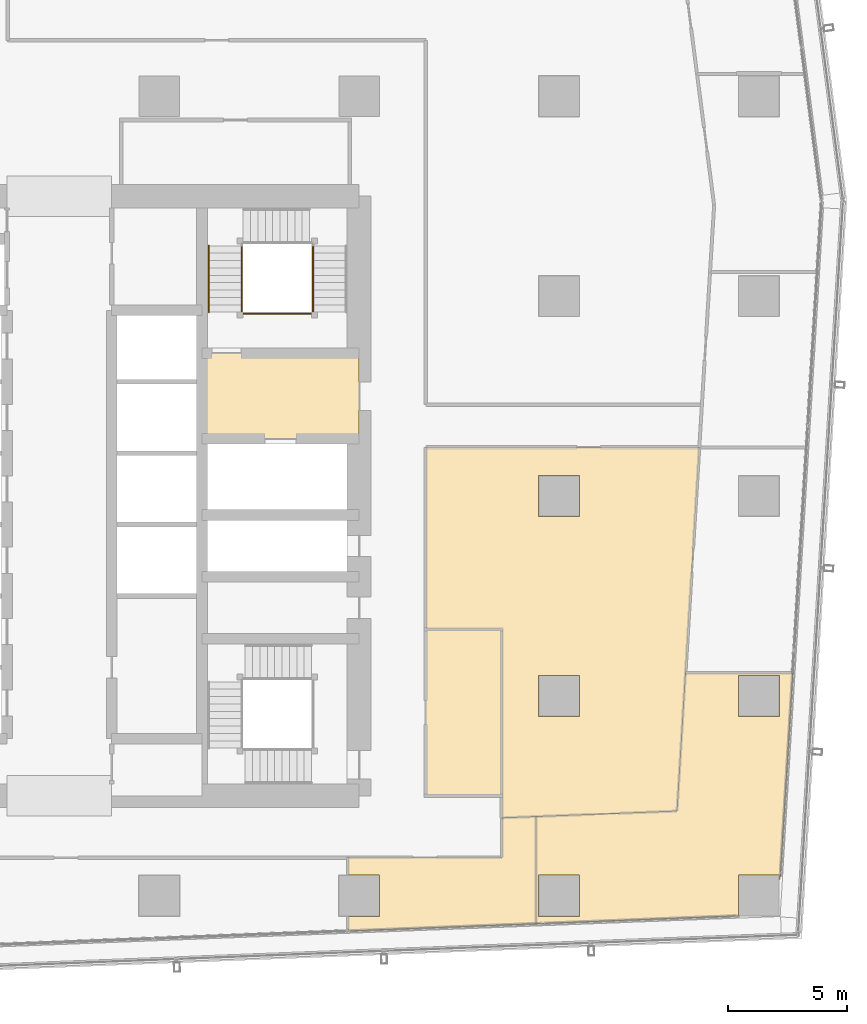
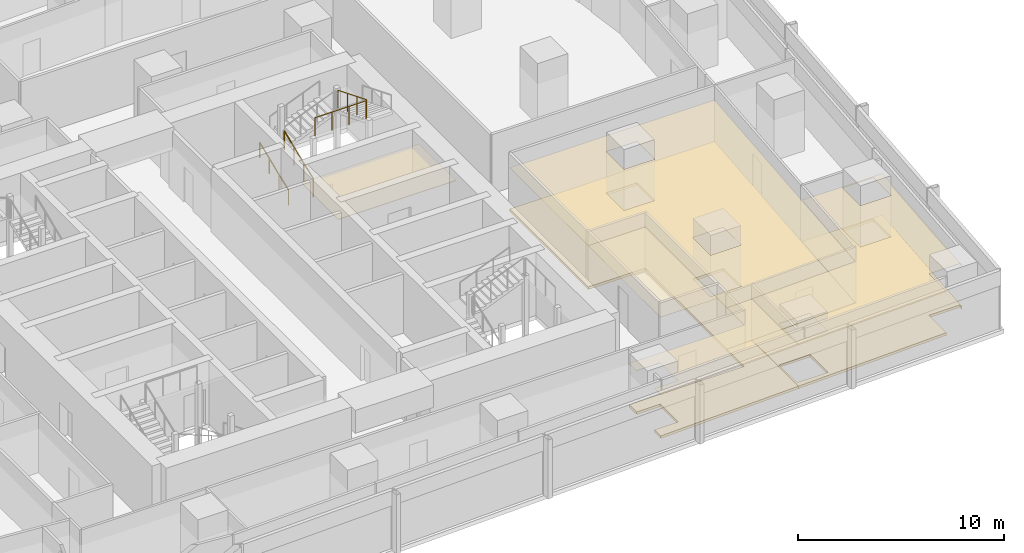
# One storey, part 38 of 40: 8 coverings, 4 railings.
"""IFC4 building model written with IfcOpenShell, lengths in metres."""

from ifc_helpers import new_model, si_unit, direction, frame, origin, origin_2d, place, context, subcontext, project, spatial, polyline, circle, outline, extrude, material, layer, layer_set, type_object, element, save


model = new_model("IFC4")

# Units and contexts
model_context = context("Model", 3, precision=1e-05, world=origin(), true_north=direction((0.0, 1.0)))
body_context = subcontext(model_context, "Body", "Model", "MODEL_VIEW")
ifc_project = project(units=[si_unit("LENGTHUNIT", "METRE"), si_unit("AREAUNIT", "SQUARE_METRE"), si_unit("VOLUMEUNIT", "CUBIC_METRE"), si_unit("PLANEANGLEUNIT", "RADIAN"), si_unit("MASSUNIT", "GRAM", prefix="KILO")], contexts=[model_context])

# Site, building, storey
site_placement = place(None, origin())
site = spatial("IfcSite", under=ifc_project, at=site_placement, CompositionType="ELEMENT")
building_placement = place(site_placement, origin())
building = spatial("IfcBuilding", under=site, at=building_placement, Name="Rekha Terrace Tower", CompositionType="ELEMENT")
storey_placement = place(building_placement, frame((0.0, 0.0, 102.800048828125)))
storey = spatial("IfcBuildingStorey", under=building, at=storey_placement, Name="L25", CompositionType="ELEMENT", Elevation=102.800048828125)

# Coverings
ifc_material_1 = material(Name="Mineral fibre tile in exposed grid", Category="finish")
ifc_layer_1 = layer(ifc_material_1, 0.02001953125)
ifc_layer_set_1 = layer_set([ifc_layer_1], Name="Mineral fibre tile in exposed grid")
covering_type_1 = type_object("IfcCoveringType", Name="CL1 600x1200 office grid ceiling", PredefinedType="CEILING", material=ifc_layer_set_1)
covering_1_placement = place(storey_placement, frame((0.0, 0.0, 2.579833984375)))
element("IfcCovering", 1, at=covering_1_placement, inside=storey, type_object=covering_type_1, Name="Ceiling L25-02", PredefinedType="CEILING", context=body_context, shape_type="SweptSolid", body=[
    extrude(outline(polyline([(56.39990234375, 20.073974609375), (56.39990234375, 18.39990234375), (49.93701171875, 18.39990234375), (49.93701171875, 17.6650390625), (51.264892578125, 17.6650390625), (51.264892578125, 15.93505859375), (49.93701171875, 15.93505859375), (49.93701171875, 15.319091796875), (57.8359375, 15.6259765625), (57.8359375, 20.1298828125), (56.39990234375, 20.073974609375)])), origin(), (0.0, 0.0, 1.0), 0.02001953125),
])
covering_2_placement = place(storey_placement, frame((0.0, 0.0, 2.579833984375)))
element("IfcCovering", 2, at=covering_2_placement, inside=storey, type_object=covering_type_1, Name="Ceiling L25-03", PredefinedType="CEILING", context=body_context, shape_type="SweptSolid", body=[
    extrude(outline(polyline([(64.114013671875, 26.166015625), (63.758056640625, 20.360107421875), (57.8369140625, 20.1298828125), (57.8369140625, 15.6259765625), (66.3349609375, 15.95703125), (66.3349609375, 17.6650390625), (68.06494140625, 17.6650390625), (68.06494140625, 17.48095703125), (68.090087890625, 17.47998046875), (68.623046875, 26.166015625), (64.114013671875, 26.166015625)]), holes=[polyline([(68.06494140625, 24.3349609375), (66.3349609375, 24.3349609375), (66.3349609375, 26.06494140625), (68.06494140625, 26.06494140625), (68.06494140625, 24.3349609375)]), polyline([(59.6650390625, 15.93505859375), (57.93505859375, 15.93505859375), (57.93505859375, 17.6650390625), (59.6650390625, 17.6650390625), (59.6650390625, 15.93505859375)])]), origin(), (0.0, 0.0, 1.0), 0.02001953125),
])
covering_3_placement = place(storey_placement, frame((0.0, 0.0, 2.579833984375)))
element("IfcCovering", 3, at=covering_3_placement, inside=storey, type_object=covering_type_1, Name="Ceiling L25-O1b", PredefinedType="CEILING", context=body_context, shape_type="SweptSolid", body=[
    extrude(outline(polyline([(56.39990234375, 20.073974609375), (57.8359375, 20.1298828125), (63.758056640625, 20.360107421875), (64.114013671875, 26.1669921875), (64.694091796875, 35.636962890625), (53.199951171875, 35.636962890625), (53.199951171875, 28.0), (56.39990234375, 28.0), (56.39990234375, 20.073974609375)]), holes=[polyline([(59.6650390625, 26.06494140625), (59.6650390625, 24.3349609375), (57.93505859375, 24.3349609375), (57.93505859375, 26.06494140625), (59.6650390625, 26.06494140625)]), polyline([(59.6650390625, 32.735107421875), (57.93505859375, 32.735107421875), (57.93505859375, 34.465087890625), (59.6650390625, 34.465087890625), (59.6650390625, 32.735107421875)])]), origin(), (0.0, 0.0, 1.0), 0.02001953125),
])
ifc_material_2 = material(Name="Fibre cement board", Category="finish")
ifc_layer_2 = layer(ifc_material_2, 0.014892578125)
ifc_layer_set_2 = layer_set([ifc_layer_2], Name="Fibre cement board")
covering_type_2 = type_object("IfcCoveringType", Name="CL2 moisture-resistant board ceiling", PredefinedType="CEILING", material=ifc_layer_set_2)
covering_4_placement = place(storey_placement, frame((0.0, 0.0, 2.5849609375)))
element("IfcCovering", 4, at=covering_4_placement, inside=storey, type_object=covering_type_2, Name="Ceiling L25-WCM2", PredefinedType="CEILING", context=body_context, shape_type="SweptSolid", body=[
    extrude(outline(polyline([(56.39990234375, 28.0), (53.199951171875, 28.0), (53.199951171875, 21.0), (56.39990234375, 21.0), (56.39990234375, 28.0)])), origin(), (0.0, 0.0, 1.0), 0.014892578125),
])
ifc_material_3 = material(Name="Powder-coated aluminium pan", Category="aluminium")
ifc_layer_3 = layer(ifc_material_3, 0.030029296875)
ifc_layer_set_3 = layer_set([ifc_layer_3], Name="Powder-coated aluminium pan")
covering_type_3 = type_object("IfcCoveringType", Name="CL3 300x1200 metal pan ceiling", PredefinedType="CEILING", material=ifc_layer_set_3)
covering_5_placement = place(storey_placement, frame((0.0, 0.0, 2.570068359375)))
element("IfcCovering", 5, at=covering_5_placement, inside=storey, type_object=covering_type_3, Name="Ceiling L25-FLB2", PredefinedType="CEILING", context=body_context, shape_type="SweptSolid", body=[
    extrude(outline(polyline([(50.39990234375, 39.60009765625), (43.800048828125, 39.60009765625), (43.800048828125, 36.0), (50.39990234375, 36.0), (50.39990234375, 39.60009765625)])), origin(), (0.0, 0.0, 1.0), 0.02978515625),
])

# Railings
ifc_material_4 = material(Name="Stainless steel balustrade", Category="steel")
railing_type_1 = type_object("IfcRailingType", Name="GR1 1100 stair guard", PredefinedType="GUARDRAIL", material=ifc_material_4)
railing_1_placement = place(storey_placement, frame((45.465087890625, 41.324951171875, 0.125)))
element("IfcRailing", 6, at=railing_1_placement, inside=storey, type_object=railing_type_1, Name="Guard ST2 L25 flight 1", PredefinedType="GUARDRAIL", context=body_context, shape_type="SweptSolid", body=[
    extrude(circle(Radius=0.02392578125, at=origin_2d()), frame((0.0, 0.0, 1.076171875), z_axis=(0.0, 0.927443287984, 0.373963831907), x_axis=(-1.0, 0.0, 0.0)), (0.0, 0.0, 1.0), 3.00830078125),
    extrude(circle(Radius=0.02099609375, at=origin_2d()), origin(), (0.0, 0.0, 1.0), 1.052001953125),
    extrude(circle(Radius=0.02099609375, at=origin_2d()), frame((0.0, 0.929931640625, 0.375)), (0.0, 0.0, 1.0), 1.052001953125),
    extrude(circle(Radius=0.02099609375, at=origin_2d()), frame((0.0, 1.860107421875, 0.75)), (0.0, 0.0, 1.0), 1.052001953125),
    extrude(circle(Radius=0.02099609375, at=origin_2d()), frame((0.0, 2.7900390625, 1.125)), (0.0, 0.0, 1.0), 1.052001953125),
])
railing_2_placement = place(storey_placement, frame((48.4599609375, 44.114990234375, 2.625)))
element("IfcRailing", 7, at=railing_2_placement, inside=storey, type_object=railing_type_1, Name="Guard ST2 L25 flight 3", PredefinedType="GUARDRAIL", context=body_context, shape_type="SweptSolid", body=[
    extrude(circle(Radius=0.02392578125, at=origin_2d()), frame((0.0, 0.0, 1.076171875), z_axis=(0.0, -0.927443287984, 0.373963831907), x_axis=(1.0, 0.0, 0.0)), (0.0, 0.0, 1.0), 3.00830078125),
    extrude(circle(Radius=0.02099609375, at=origin_2d()), origin(), (0.0, 0.0, 1.0), 1.052001953125),
    extrude(circle(Radius=0.02099609375, at=origin_2d()), frame((0.0, -0.929931640625, 0.375)), (0.0, 0.0, 1.0), 1.052001953125),
    extrude(circle(Radius=0.02099609375, at=origin_2d()), frame((0.0, -1.860107421875, 0.75)), (0.0, 0.0, 1.0), 1.052001953125),
    extrude(circle(Radius=0.02099609375, at=origin_2d()), frame((0.0, -2.7900390625, 1.125)), (0.0, 0.0, 1.0), 1.052001953125),
])
railing_3_placement = place(storey_placement, frame((45.52490234375, 41.264892578125, 3.75)))
element("IfcRailing", 8, at=railing_3_placement, inside=storey, type_object=railing_type_1, Name="Guard ST2 L25 landing 4", PredefinedType="GUARDRAIL", context=body_context, shape_type="SweptSolid", body=[
    extrude(circle(Radius=0.02392578125, at=origin_2d()), frame((0.0, 0.0, 1.076171875), z_axis=(1.0, 0.0, 0.0), x_axis=(0.0, 1.0, 0.0)), (0.0, 0.0, 1.0), 2.875),
    extrude(circle(Radius=0.02099609375, at=origin_2d()), origin(), (0.0, 0.0, 1.0), 1.052001953125),
    extrude(circle(Radius=0.02099609375, at=origin_2d()), frame((0.958251953125, 0.0, 0.0)), (0.0, 0.0, 1.0), 1.052001953125),
    extrude(circle(Radius=0.02099609375, at=origin_2d()), frame((1.916748046875, 0.0, 0.0)), (0.0, 0.0, 1.0), 1.052001953125),
    extrude(circle(Radius=0.02099609375, at=origin_2d()), frame((2.875, 0.0, 0.0)), (0.0, 0.0, 1.0), 1.052001953125),
])
ifc_material_5 = material(Name="Stainless steel tube", Category="steel")
railing_type_2 = type_object("IfcRailingType", Name="HR1 900 stair handrail", PredefinedType="HANDRAIL", material=ifc_material_5)
railing_4_placement = place(storey_placement, frame((44.0849609375, 41.324951171875, 0.125)))
element("IfcRailing", 9, at=railing_4_placement, inside=storey, type_object=railing_type_2, Name="Handrail ST2 L25 flight 1", PredefinedType="HANDRAIL", context=body_context, shape_type="SweptSolid", body=[
    extrude(circle(Radius=0.02392578125, at=origin_2d()), frame((0.0, 0.0, 0.8759765625), z_axis=(0.0, 0.927443287984, 0.373963831907), x_axis=(-1.0, 0.0, 0.0)), (0.0, 0.0, 1.0), 3.00830078125),
    extrude(circle(Radius=0.02099609375, at=origin_2d()), origin(), (0.0, 0.0, 1.0), 0.851806640625),
    extrude(circle(Radius=0.02099609375, at=origin_2d()), frame((0.0, 0.929931640625, 0.375)), (0.0, 0.0, 1.0), 0.851806640625),
    extrude(circle(Radius=0.02099609375, at=origin_2d()), frame((0.0, 1.860107421875, 0.75)), (0.0, 0.0, 1.0), 0.851806640625),
    extrude(circle(Radius=0.02099609375, at=origin_2d()), frame((0.0, 2.7900390625, 1.125)), (0.0, 0.0, 1.0), 0.851806640625),
])

# Coverings
ifc_material_6 = material(Name="Calcium sulphate panels on steel pedestals", Category="steel")
ifc_layer_4 = layer(ifc_material_6, 0.14990234375)
ifc_layer_set_4 = layer_set([ifc_layer_4], Name="Calcium sulphate panels on steel pedestals")
covering_type_4 = type_object("IfcCoveringType", Name="RF1 150 raised access floor", PredefinedType="FLOORING", material=ifc_layer_set_4)
covering_6_placement = place(storey_placement, origin())
element("IfcCovering", 10, at=covering_6_placement, inside=storey, type_object=covering_type_4, Name="Raised floor L25-02", PredefinedType="FLOORING", context=body_context, shape_type="SweptSolid", body=[
    extrude(outline(polyline([(56.39990234375, 20.073974609375), (56.39990234375, 18.39990234375), (49.93701171875, 18.39990234375), (49.93701171875, 17.6650390625), (51.264892578125, 17.6650390625), (51.264892578125, 15.93505859375), (49.93701171875, 15.93505859375), (49.93701171875, 15.319091796875), (57.8359375, 15.6259765625), (57.8359375, 20.1298828125), (56.39990234375, 20.073974609375)])), origin(), (0.0, 0.0, 1.0), 0.14990234375),
])
covering_7_placement = place(storey_placement, origin())
element("IfcCovering", 11, at=covering_7_placement, inside=storey, type_object=covering_type_4, Name="Raised floor L25-03", PredefinedType="FLOORING", context=body_context, shape_type="SweptSolid", body=[
    extrude(outline(polyline([(64.114013671875, 26.166015625), (63.758056640625, 20.360107421875), (57.8369140625, 20.1298828125), (57.8369140625, 15.6259765625), (66.3349609375, 15.95703125), (66.3349609375, 17.6650390625), (68.06494140625, 17.6650390625), (68.06494140625, 17.48095703125), (68.090087890625, 17.47998046875), (68.623046875, 26.166015625), (64.114013671875, 26.166015625)]), holes=[polyline([(68.06494140625, 24.3349609375), (66.3349609375, 24.3349609375), (66.3349609375, 26.06494140625), (68.06494140625, 26.06494140625), (68.06494140625, 24.3349609375)]), polyline([(59.6650390625, 15.93505859375), (57.93505859375, 15.93505859375), (57.93505859375, 17.6650390625), (59.6650390625, 17.6650390625), (59.6650390625, 15.93505859375)])]), origin(), (0.0, 0.0, 1.0), 0.14990234375),
])
covering_8_placement = place(storey_placement, origin())
element("IfcCovering", 12, at=covering_8_placement, inside=storey, type_object=covering_type_4, Name="Raised floor L25-O1b", PredefinedType="FLOORING", context=body_context, shape_type="SweptSolid", body=[
    extrude(outline(polyline([(56.39990234375, 20.073974609375), (57.8359375, 20.1298828125), (63.758056640625, 20.360107421875), (64.114013671875, 26.1669921875), (64.694091796875, 35.636962890625), (53.199951171875, 35.636962890625), (53.199951171875, 28.0), (56.39990234375, 28.0), (56.39990234375, 20.073974609375)]), holes=[polyline([(59.6650390625, 26.06494140625), (59.6650390625, 24.3349609375), (57.93505859375, 24.3349609375), (57.93505859375, 26.06494140625), (59.6650390625, 26.06494140625)]), polyline([(59.6650390625, 32.735107421875), (57.93505859375, 32.735107421875), (57.93505859375, 34.465087890625), (59.6650390625, 34.465087890625), (59.6650390625, 32.735107421875)])]), origin(), (0.0, 0.0, 1.0), 0.14990234375),
])

save(model, "model.ifc")
